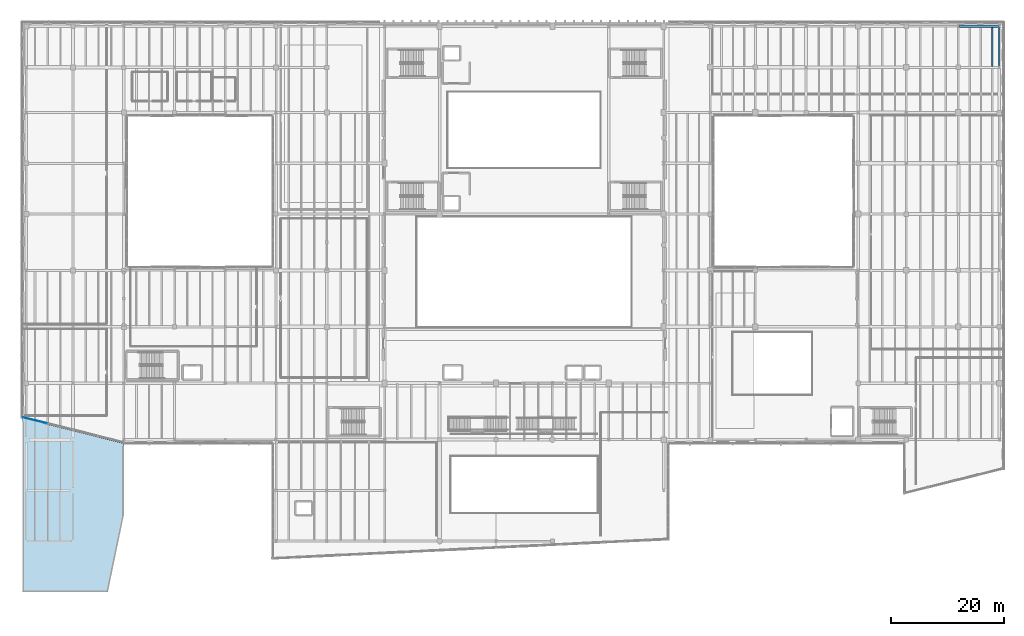
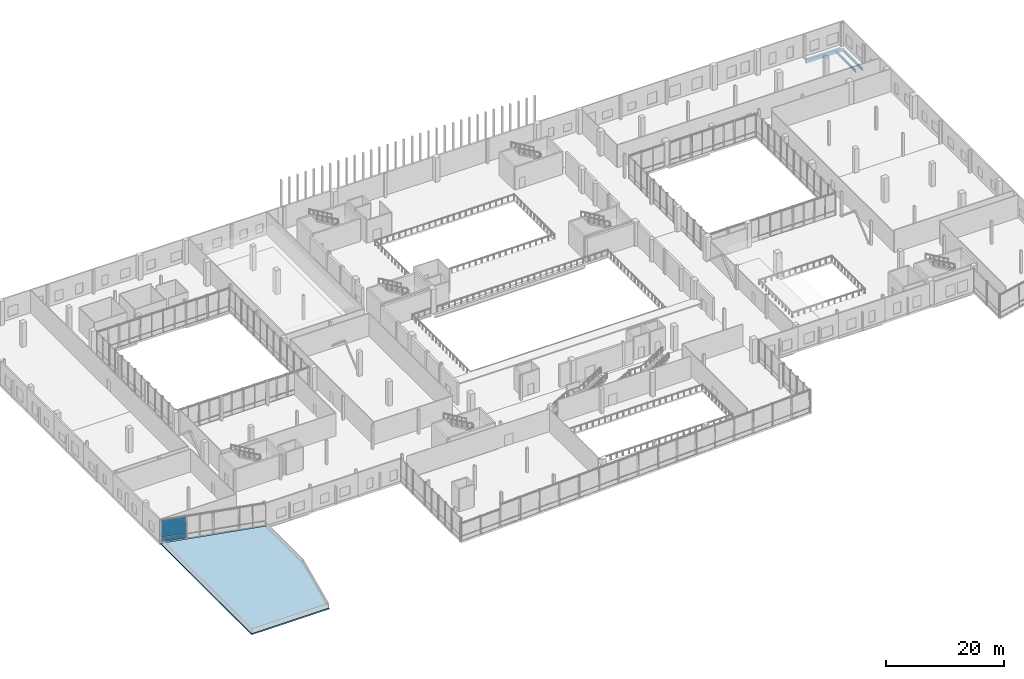
# One storey, part 50 of 81: 3 beams, 2 plates, 1 slab, 1 element without a shape of its own.
"""IFC4 building model written with IfcOpenShell, lengths in metres."""

from ifc_helpers import new_model, si_unit, direction, frame, origin, origin_2d, place, context, subcontext, project, spatial, polyline, rectangle, i_section, outline, extrude, material, layer, layer_set, material_profile, profile_set, type_object, element, aggregate, save


model = new_model("IFC4")

# Units and contexts
model_context = context("Model", 3, precision=1e-05, world=origin(), true_north=direction((0.0, 1.0)))
body_context = subcontext(model_context, "Body", "Model", "MODEL_VIEW")
ifc_project = project(units=[si_unit("LENGTHUNIT", "METRE"), si_unit("AREAUNIT", "SQUARE_METRE"), si_unit("VOLUMEUNIT", "CUBIC_METRE"), si_unit("PLANEANGLEUNIT", "RADIAN"), si_unit("MASSUNIT", "GRAM", prefix="KILO")], contexts=[model_context])

# Site, building, storey
site_placement = place(None, origin())
site = spatial("IfcSite", under=ifc_project, at=site_placement, CompositionType="ELEMENT")
building_placement = place(site_placement, origin())
building = spatial("IfcBuilding", under=site, at=building_placement, Name="Trimount Lyric Opera House", CompositionType="ELEMENT")
storey_placement = place(building_placement, frame((0.0, 0.0, 5.0)))
storey = spatial("IfcBuildingStorey", under=building, at=storey_placement, Name="L01", CompositionType="ELEMENT", Elevation=5.0)

# Beams
ifc_material_1 = material(Name="Steel ASTM A992 Grade 50", Category="steel")
ifc_material_profile_1 = material_profile(ifc_material_1, i_section(OverallWidth=0.19091796875, OverallDepth=0.45703125, WebThickness=0.009033203125, FlangeThickness=0.014404296875, FilletRadius=0.010986328125, at=origin_2d()), Name="W18X50")
ifc_profile_set_1 = profile_set([ifc_material_profile_1], Name="Steel ASTM A992 Grade 50")
beam_type_1 = type_object("IfcBeamType", Name="J-04", PredefinedType="BEAM", material=ifc_profile_set_1)
beam_1_placement = place(storey_placement, frame((172.0, 110.18701171875, -0.53857421875), z_axis=(0.0, 1.0, 0.0), x_axis=(-1.0, 0.0, 0.0)))
element("IfcBeam", 1, at=beam_1_placement, inside=storey, type_object=beam_type_1, Name="L01 composite floor joist 0802", PredefinedType="BEAM", context=body_context, shape_type="SweptSolid", body=[
    extrude(i_section(OverallWidth=0.19091796875, OverallDepth=0.45703125, WebThickness=0.009033203125, FlangeThickness=0.014404296875, FilletRadius=0.010986328125, at=origin_2d()), origin(), (0.0, 0.0, 1.0), 6.8720703125),
])
ifc_material_2 = material(Name="Steel ASTM A992 Grade 50", Category="steel")
ifc_material_profile_2 = material_profile(ifc_material_2, i_section(OverallWidth=0.281982421875, OverallDepth=0.467041015625, WebThickness=0.01220703125, FlangeThickness=0.01953125, FilletRadius=0.012939453125, at=origin_2d()), Name="W18X86")
ifc_profile_set_2 = profile_set([ifc_material_profile_2], Name="Steel ASTM A992 Grade 50")
beam_type_2 = type_object("IfcBeamType", Name="SP-01", PredefinedType="SPANDREL", material=ifc_profile_set_2)
beam_2_placement = place(storey_placement, frame((173.280029296875, 110.18408203125, -0.54345703125), z_axis=(0.0, 1.0, 0.0), x_axis=(-1.0, 0.0, 0.0)))
element("IfcBeam", 2, at=beam_2_placement, inside=storey, type_object=beam_type_2, Name="L01 girder Y-0713", PredefinedType="SPANDREL", context=body_context, shape_type="SweptSolid", body=[
    extrude(i_section(OverallWidth=0.281982421875, OverallDepth=0.467041015625, WebThickness=0.01220703125, FlangeThickness=0.01953125, FilletRadius=0.012939453125, at=origin_2d()), origin(), (0.0, 0.0, 1.0), 6.90283203125),
])
ifc_material_3 = material(Name="Concrete C40/50", Category="concrete")
ifc_material_profile_3 = material_profile(ifc_material_3, rectangle(XDim=0.449951171875, YDim=0.699951171875, at=origin_2d()), Name="RC450X700")
ifc_profile_set_3 = profile_set([ifc_material_profile_3], Name="Concrete C40/50")
beam_type_3 = type_object("IfcBeamType", Name="SP-02", PredefinedType="SPANDREL", material=ifc_profile_set_3)
beam_3_placement = place(storey_placement, frame((166.1865234375, 117.280029296875, -0.659912109375), z_axis=(1.0, 0.0, 0.0), x_axis=(0.0, 1.0, 0.0)))
element("IfcBeam", 3, at=beam_3_placement, inside=storey, type_object=beam_type_3, Name="L01 girder X-0593", PredefinedType="SPANDREL", context=body_context, shape_type="SweptSolid", body=[
    extrude(rectangle(XDim=0.449951171875, YDim=0.699951171875, at=origin_2d()), origin(), (0.0, 0.0, 1.0), 6.89404296875),
])

# Curtain wall, plates
ifc_material_4 = material(Name="Thermally Broken Aluminium and Low-E Glass", Category="aluminium")
curtain_wall_type = type_object("IfcCurtainWallType", Name="CW-04", PredefinedType="NOTDEFINED", material=ifc_material_4)
curtain_wall_placement = place(storey_placement, origin())
curtain_wall = element("IfcCurtainWall", 4, at=curtain_wall_placement, inside=storey, type_object=curtain_wall_type, Name="L01 curtain wall 119", PredefinedType="NOTDEFINED")
ifc_material_5 = material(Name="Double Low-E Insulated Vision Glass", Category="glass")
ifc_layer_1 = layer(ifc_material_5, 0.028076171875)
ifc_layer_set_1 = layer_set([ifc_layer_1], Name="CWP-03")
plate_type_1 = type_object("IfcPlateType", Name="CWP-03", PredefinedType="CURTAIN_PANEL", material=ifc_layer_set_1)
plate_1_placement = place(storey_placement, frame((2.279541015625, 47.39453125, 0.114990234375), z_axis=(0.0, 0.0, 1.0), x_axis=(-0.970181981768, 0.242377643881, 0.0)))
plate_1 = element("IfcPlate", 5, at=plate_1_placement, type_object=plate_type_1, Name="CW-04 panel 1.1", PredefinedType="CURTAIN_PANEL", context=body_context, shape_type="SweptSolid", body=[
    extrude(rectangle(XDim=4.34814453125, YDim=0.028076171875, at=origin_2d()), origin(), (0.0, 0.0, 1.0), 0.87744140625),
])
ifc_material_6 = material(Name="Insulated Aluminium Shadow-Box Spandrel Panel", Category="aluminium")
ifc_layer_2 = layer(ifc_material_6, 0.0419921875)
ifc_layer_set_2 = layer_set([ifc_layer_2], Name="CWP-04")
plate_type_2 = type_object("IfcPlateType", Name="CWP-04", PredefinedType="CURTAIN_PANEL", material=ifc_layer_set_2)
plate_2_placement = place(storey_placement, frame((2.279541015625, 47.39453125, 1.107421875), z_axis=(0.0, 0.0, 1.0), x_axis=(-0.970181981768, 0.242377643881, 0.0)))
plate_2 = element("IfcPlate", 6, at=plate_2_placement, type_object=plate_type_2, Name="CW-04 panel 1.2", PredefinedType="CURTAIN_PANEL", context=body_context, shape_type="SweptSolid", body=[
    extrude(rectangle(XDim=4.34814453125, YDim=0.028076171875, at=origin_2d()), origin(), (0.0, 0.0, 1.0), 3.45751953125),
])
aggregate(curtain_wall, [plate_1, plate_2])

# Slab
ifc_material_7 = material(Name="Concrete C40/50", Category="concrete")
ifc_layer_3 = layer(ifc_material_7, 0.27001953125)
ifc_layer_set_3 = layer_set([ifc_layer_3], Name="SL-RF270")
slab_type = type_object("IfcSlabType", Name="SL-RF270", PredefinedType="ROOF", material=ifc_layer_set_3)
slab_placement = place(storey_placement, frame((0.0, 0.0, -0.27001953125)))
element("IfcSlab", 7, at=slab_placement, inside=storey, type_object=slab_type, Name="Metro forecourt pavilion roof", PredefinedType="ROOF", context=body_context, shape_type="SweptSolid", body=[
    extrude(outline(polyline([(0.0, 17.0), (0.0, 47.809814453125), (18.0, 43.31005859375), (18.0, 30.5), (15.199951171875, 17.0), (0.0, 17.0)])), origin(), (0.0, 0.0, 1.0), 0.27001953125),
])

save(model, "model.ifc")
